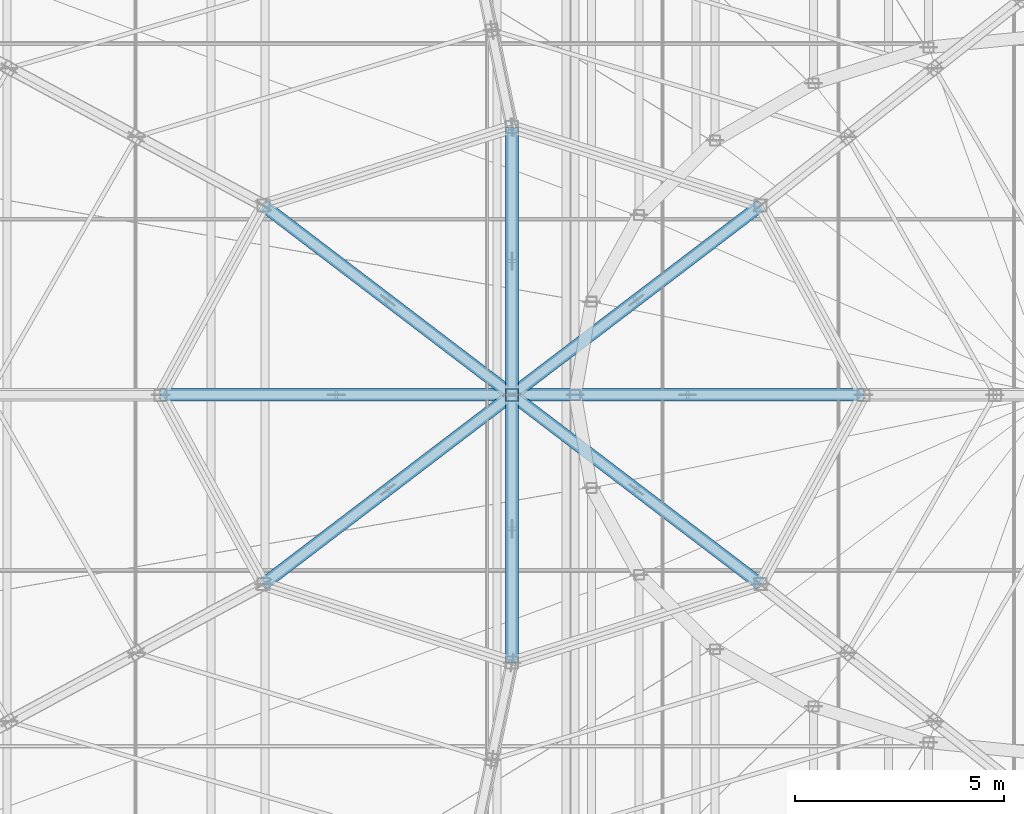
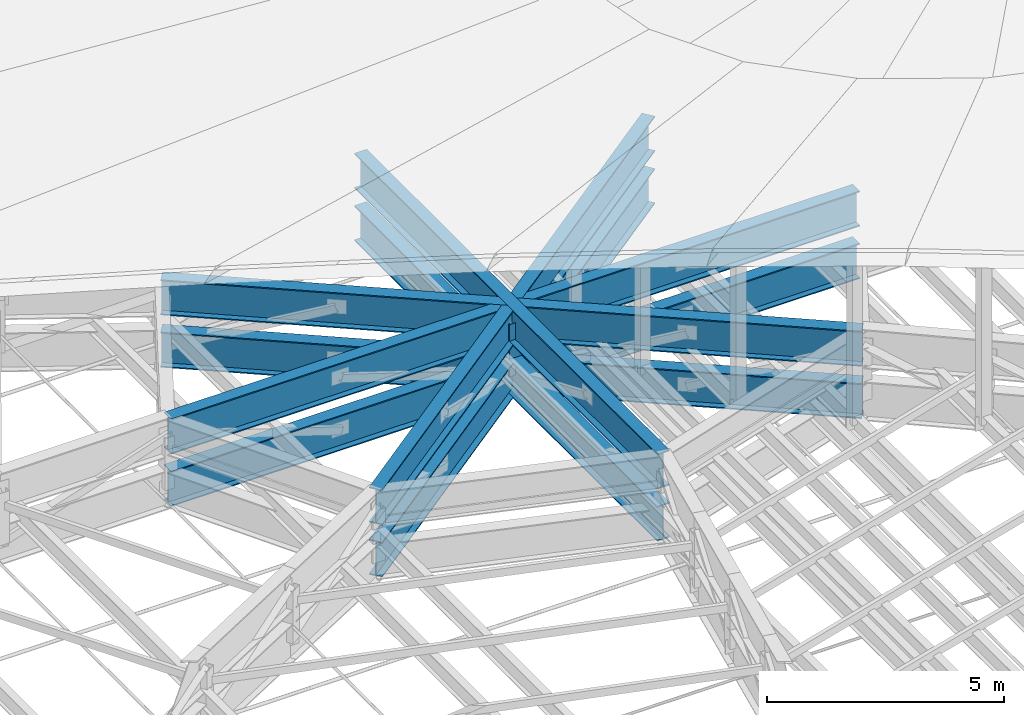
# One storey, part 59 of 184: 8 beams, 1 member.
"""IFC4 building model written with IfcOpenShell, lengths in metres."""

from ifc_helpers import new_model, si_unit, direction, frame, origin, origin_2d, place, context, subcontext, project, spatial, hollow_rectangle, i_section, extrude, material, material_profile, profile_set, type_object, element, save


model = new_model("IFC4")

# Units and contexts
model_context = context("Model", 3, precision=1e-05, world=origin(), true_north=direction((0.0, 1.0)))
body_context = subcontext(model_context, "Body", "Model", "MODEL_VIEW")
ifc_project = project(units=[si_unit("LENGTHUNIT", "METRE"), si_unit("AREAUNIT", "SQUARE_METRE"), si_unit("VOLUMEUNIT", "CUBIC_METRE"), si_unit("PLANEANGLEUNIT", "RADIAN"), si_unit("MASSUNIT", "GRAM", prefix="KILO")], contexts=[model_context])

# Site, building, storey
site_placement = place(None, origin())
site = spatial("IfcSite", under=ifc_project, at=site_placement, CompositionType="ELEMENT")
building_placement = place(site_placement, origin())
building = spatial("IfcBuilding", under=site, at=building_placement, Name="Kalgoora Escarpment Arena", CompositionType="ELEMENT")
storey_placement = place(building_placement, frame((0.0, 0.0, 27.60009765625)))
storey = spatial("IfcBuildingStorey", under=building, at=storey_placement, Name="Roof Level", CompositionType="ELEMENT", Elevation=27.60009765625)

# Beams
ifc_material_1 = material(Name="Structural steel Grade 350 (350 MPa)", Category="steel")
ifc_material_profile_1 = material_profile(ifc_material_1, i_section(OverallWidth=0.300048828125, OverallDepth=0.909912109375, WebThickness=0.011962890625, FlangeThickness=0.028076171875, at=origin_2d()))
ifc_profile_set_1 = profile_set([ifc_material_profile_1], Name="Structural steel Grade 350 (350 MPa)")
beam_type = type_object("IfcBeamType", Name="BM-HUB-RING", PredefinedType="USERDEFINED", material=ifc_profile_set_1)
for number, where, z_axis, x_axis, name in (
    (1, (105.60009765625, 64.0, -1.60009765625), (-1.0, 0.0, 0.0), (0.0, -1.0, 0.0), "Central ROOF TRUSS hub tie bottom 1"),
    (2, (105.60009765625, 64.0, -0.25), (-1.0, 0.0, 0.0), (0.0, -1.0, 0.0), "Central ROOF TRUSS hub tie top 1"),
):
    element("IfcBeam", number, at=place(storey_placement, frame(where, z_axis=z_axis, x_axis=x_axis)), inside=storey, type_object=beam_type, Name=name, ObjectType="GIRDER", PredefinedType="USERDEFINED", context=body_context, shape_type="SweptSolid", body=[
        extrude(i_section(OverallWidth=0.300048828125, OverallDepth=0.909912109375, WebThickness=0.011962890625, FlangeThickness=0.028076171875, at=origin_2d()), origin(), (0.0, 0.0, 1.0), 16.800048828125),
    ])
for number, where, z_axis, x_axis, name in (
    (3, (103.1396484375, 68.525390625, -1.60009765625), (-0.795437724248, -0.606035334649, 0.0), (0.606035334649, -0.795437724248, 0.0), "Central ROOF TRUSS hub tie bottom 2"),
    (4, (103.1396484375, 68.525390625, -0.25), (-0.795437724248, -0.606035334649, 0.0), (0.606035334649, -0.795437724248, 0.0), "Central ROOF TRUSS hub tie top 2"),
):
    element("IfcBeam", number, at=place(storey_placement, frame(where, z_axis=z_axis, x_axis=x_axis)), inside=storey, type_object=beam_type, Name=name, ObjectType="GIRDER", PredefinedType="USERDEFINED", context=body_context, shape_type="SweptSolid", body=[
        extrude(i_section(OverallWidth=0.300048828125, OverallDepth=0.909912109375, WebThickness=0.011962890625, FlangeThickness=0.028076171875, at=origin_2d()), origin(), (0.0, 0.0, 1.0), 14.934326171875),
    ])
for number, where, z_axis, x_axis, name in (
    (5, (97.199951171875, 70.39990234375, -1.60009765625), (0.0, -1.0, 0.0), (1.0, 0.0, 0.0), "Central ROOF TRUSS hub tie bottom 3"),
    (6, (97.199951171875, 70.39990234375, -0.25), (0.0, -1.0, 0.0), (1.0, 0.0, 0.0), "Central ROOF TRUSS hub tie top 3"),
):
    element("IfcBeam", number, at=place(storey_placement, frame(where, z_axis=z_axis, x_axis=x_axis)), inside=storey, type_object=beam_type, Name=name, ObjectType="GIRDER", PredefinedType="USERDEFINED", context=body_context, shape_type="SweptSolid", body=[
        extrude(i_section(OverallWidth=0.300048828125, OverallDepth=0.909912109375, WebThickness=0.011962890625, FlangeThickness=0.028076171875, at=origin_2d()), origin(), (0.0, 0.0, 1.0), 12.7998046875),
    ])
for number, where, z_axis, x_axis, name in (
    (7, (91.26025390625, 68.525390625, -1.60009765625), (0.795437724248, -0.606035334649, 0.0), (0.606035334649, 0.795437724248, 0.0), "Central ROOF TRUSS hub tie bottom 4"),
    (8, (91.26025390625, 68.525390625, -0.25), (0.795437724248, -0.606035334649, 0.0), (0.606035334649, 0.795437724248, 0.0), "Central ROOF TRUSS hub tie top 4"),
):
    element("IfcBeam", number, at=place(storey_placement, frame(where, z_axis=z_axis, x_axis=x_axis)), inside=storey, type_object=beam_type, Name=name, ObjectType="GIRDER", PredefinedType="USERDEFINED", context=body_context, shape_type="SweptSolid", body=[
        extrude(i_section(OverallWidth=0.300048828125, OverallDepth=0.909912109375, WebThickness=0.011962890625, FlangeThickness=0.028076171875, at=origin_2d()), origin(), (0.0, 0.0, 1.0), 14.934326171875),
    ])

# Member
ifc_material_2 = material(Name="Structural steel C450 (450 MPa)", Category="steel")
ifc_material_profile_2 = material_profile(ifc_material_2, hollow_rectangle(XDim=0.300048828125, YDim=0.300048828125, WallThickness=0.012451171875, at=origin_2d()))
ifc_profile_set_2 = profile_set([ifc_material_profile_2], Name="Structural steel C450 (450 MPa)")
member_type = type_object("IfcMemberType", Name="MEM-TRUSS-POST", PredefinedType="POST", material=ifc_profile_set_2)
member_placement = place(storey_placement, frame((97.199951171875, 64.0, -1.60009765625), z_axis=(0.0, 0.0, 1.0), x_axis=(1.0, 0.0, 0.0)))
element("IfcMember", 9, at=member_placement, inside=storey, type_object=member_type, Name="Central ROOF TRUSS crown post", PredefinedType="POST", context=body_context, shape_type="SweptSolid", body=[
    extrude(hollow_rectangle(XDim=0.300048828125, YDim=0.300048828125, WallThickness=0.012451171875, at=origin_2d()), origin(), (0.0, 0.0, 1.0), 1.35009765625),
])

save(model, "model.ifc")
